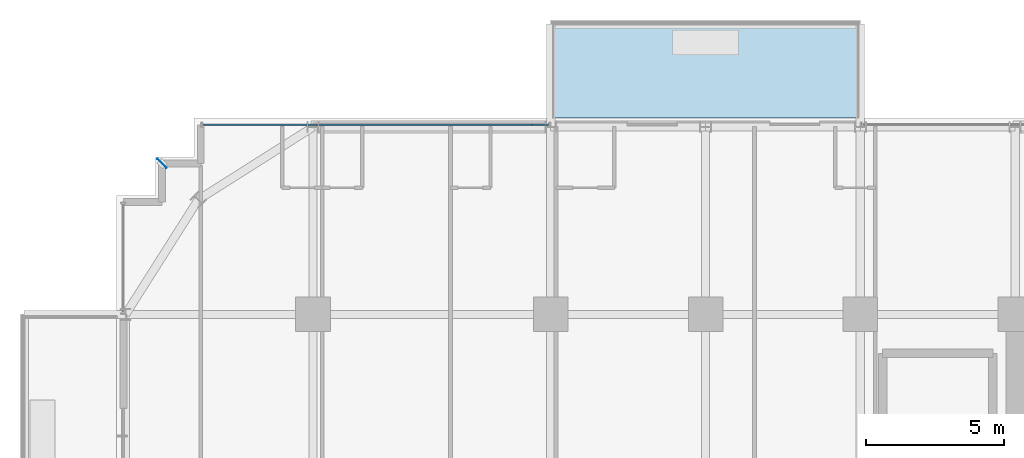
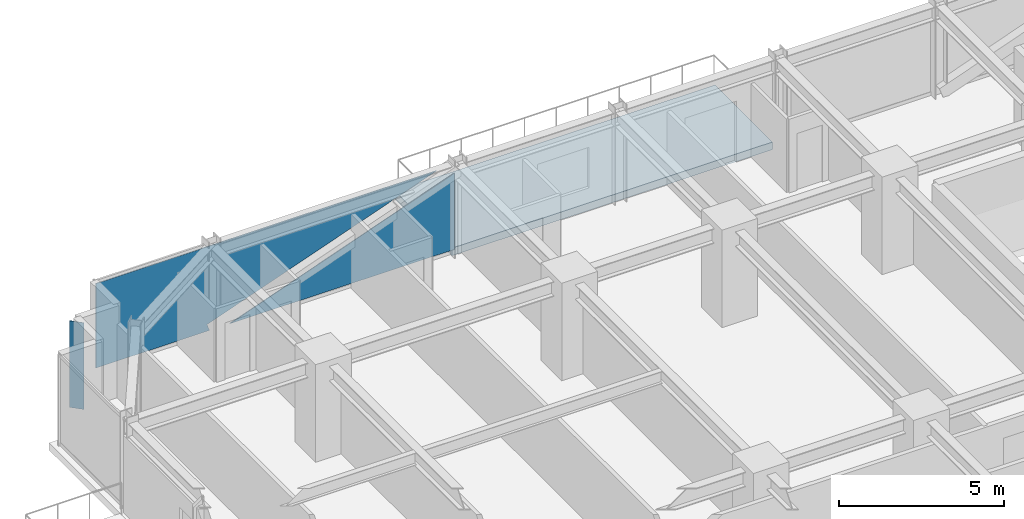
# One storey, part 30 of 40: 2 plates, 1 slab, 1 element without a shape of its own.
"""IFC4 building model written with IfcOpenShell, lengths in metres."""

from ifc_helpers import new_model, si_unit, direction, frame, origin, origin_2d, place, context, subcontext, project, spatial, polyline, rectangle, outline, extrude, source, transform, mapped, material, layer, layer_set, type_object, element, aggregate, save


model = new_model("IFC4")

# Units and contexts
model_context = context("Model", 3, precision=1e-05, world=origin(), true_north=direction((0.0, 1.0)))
body_context = subcontext(model_context, "Body", "Model", "MODEL_VIEW")
ifc_project = project(units=[si_unit("LENGTHUNIT", "METRE"), si_unit("AREAUNIT", "SQUARE_METRE"), si_unit("VOLUMEUNIT", "CUBIC_METRE"), si_unit("PLANEANGLEUNIT", "RADIAN"), si_unit("MASSUNIT", "GRAM", prefix="KILO")], contexts=[model_context])

# Site, building, storey
site_placement = place(None, origin())
site = spatial("IfcSite", under=ifc_project, at=site_placement, CompositionType="ELEMENT")
building_placement = place(site_placement, origin())
building = spatial("IfcBuilding", under=site, at=building_placement, Name="Nahalor Promenade Grand Hotel", CompositionType="ELEMENT")
storey_placement = place(building_placement, frame((0.0, 0.0, 91.949951171875)))
storey = spatial("IfcBuildingStorey", under=building, at=storey_placement, Name="L22", CompositionType="ELEMENT", Elevation=91.949951171875)

# Curtain wall, plate
ifc_material_1 = material(Name="Anodised Bronze Aluminium EN AW-6063 T6", Category="aluminium")
curtain_wall_type = type_object("IfcCurtainWallType", Name="CW2 Typical Hotel Flush Bronze Unitised Curtain Wall", PredefinedType="USERDEFINED", material=ifc_material_1)
curtain_wall_placement = place(storey_placement, origin())
curtain_wall = element("IfcCurtainWall", 1, at=curtain_wall_placement, inside=storey, type_object=curtain_wall_type, Name="L22 Curtain Wall CW-L22-N-1", ObjectType="UNITISED_CURTAIN_WALL", PredefinedType="USERDEFINED")
ifc_material_2 = material(Name="Low-E Laminated Solar Glass", Category="glass")
ifc_layer_1 = layer(ifc_material_2, 0.028076171875)
ifc_layer_set_1 = layer_set([ifc_layer_1], Name="Low-E Laminated Solar Glass")
plate_type_1 = type_object("IfcPlateType", Name="CWP2 Bronze Low-E Vision IGU 28mm", PredefinedType="CURTAIN_PANEL", material=ifc_layer_set_1)
plate_1_placement = place(storey_placement, frame((-14.72998046875, 23.860107421875, 0.1298828125), z_axis=(0.0, 0.0, 1.0), x_axis=(1.0, 0.0, 0.0)))
plate_1 = element("IfcPlate", 2, at=plate_1_placement, type_object=plate_type_1, Name="CW-L22-N-1 Glazing Panel 0-0", PredefinedType="CURTAIN_PANEL", context=body_context, shape_type="SweptSolid", body=[
    extrude(outline(polyline([(-6.264892578125, 3.1201171875), (-6.264892578125, 0.0), (-2.289306640625, 0.0), (-2.3779296875, 0.246826171875), (5.644287109375, 3.1201171875), (-6.264892578125, 3.1201171875)])), frame((0.0, 0.01416015625, 0.0), z_axis=(0.0, -1.0, 0.0), x_axis=(1.0, 0.0, 0.0)), (0.0, 0.0, 1.0), 0.028076171875),
    extrude(outline(polyline([(-1.58447265625, 0.0), (6.264892578125, 0.0), (6.264892578125, 2.811279296875), (-1.58447265625, 0.0)])), frame((0.0, 0.01416015625, 0.0), z_axis=(0.0, -1.0, 0.0), x_axis=(1.0, 0.0, 0.0)), (0.0, 0.0, 1.0), 0.028076171875),
])
aggregate(curtain_wall, [plate_1])

# Slab
ifc_material_3 = material(Name="Concrete B-50 (C40/50)", Category="concrete")
ifc_layer_2 = layer(ifc_material_3, 0.280029296875)
ifc_layer_set_2 = layer_set([ifc_layer_2], Name="Concrete B-50 (C40/50)")
slab_type = type_object("IfcSlabType", Name="Slab-Balcony-280", PredefinedType="FLOOR", material=ifc_layer_set_2)
slab_placement = place(storey_placement, frame((0.0, 0.0, -0.280029296875)))
element("IfcSlab", 3, at=slab_placement, inside=storey, type_object=slab_type, Name="L22 Cantilevered Planted Balcony 1", PredefinedType="FLOOR", context=body_context, shape_type="SweptSolid", body=[
    extrude(outline(polyline([(-8.39990234375, 24.10009765625), (2.800048828125, 24.10009765625), (2.800048828125, 27.580078125), (-8.39990234375, 27.580078125), (-8.39990234375, 24.10009765625)])), origin(), (0.0, 0.0, 1.0), 0.280029296875),
])

# Plate
ifc_layer_3 = layer(ifc_material_1, 0.02001953125)
ifc_layer_set_3 = layer_set([ifc_layer_3], Name="Anodised Bronze Aluminium EN AW-6063 T6")
plate_type_2 = type_object("IfcPlateType", Name="Plate-CornerFin-20", PredefinedType="SHEET", material=ifc_layer_set_3)
shared_shape = source(origin(), body_context, "Body", "SweptSolid", [
    extrude(rectangle(XDim=0.449951171875, YDim=0.02001953125, at=origin_2d()), origin(), (0.0, 0.0, 1.0), 3.199951171875),
])
plate_2_placement = place(storey_placement, frame((-22.4599609375, 22.4599609375, 0.0), z_axis=(0.0, 0.0, 1.0), x_axis=(-0.707106781187, 0.707106781187, 0.0)))
element("IfcPlate", 4, at=plate_2_placement, inside=storey, type_object=plate_type_2, Name="FIN-L22-NW", PredefinedType="SHEET", context=body_context, shape_type="MappedRepresentation", body=[
    mapped(shared_shape, transform((0.0, 0.0, 0.0), scale=1.0)),
])

save(model, "model.ifc")
